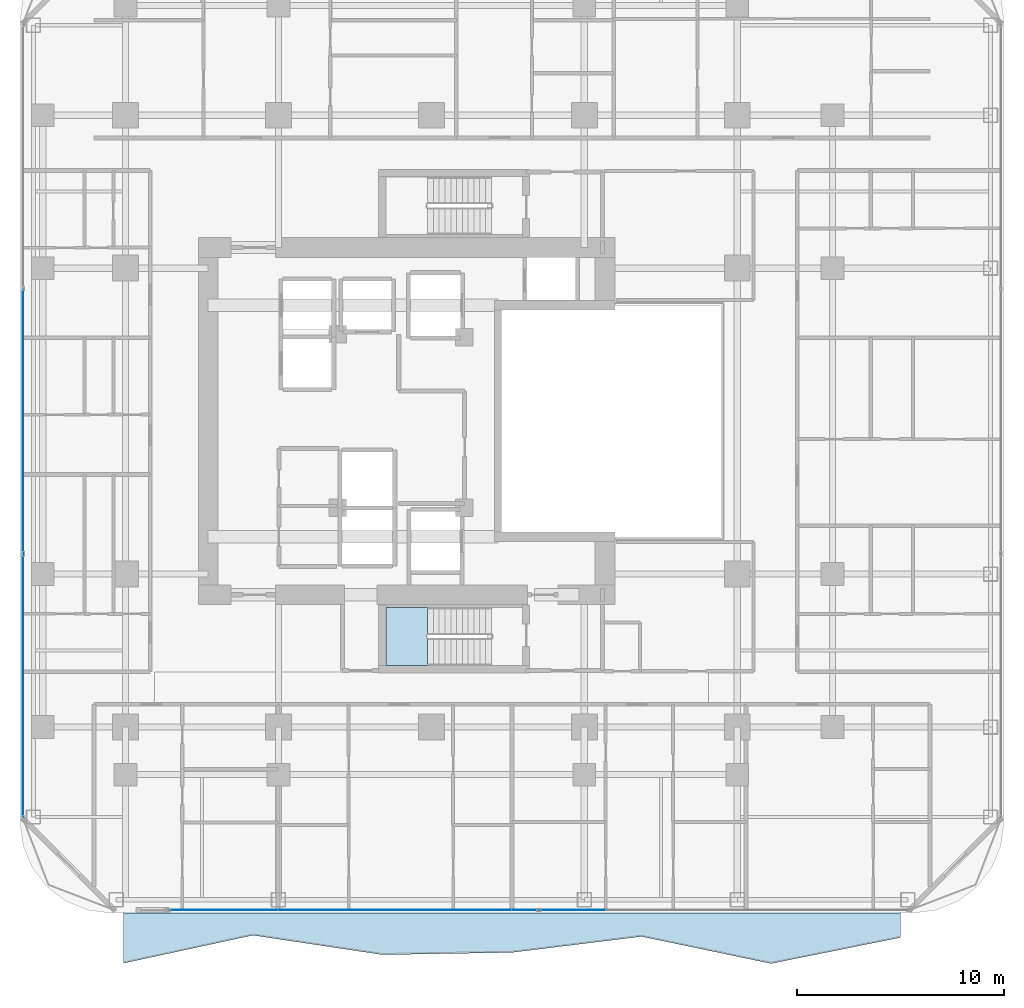
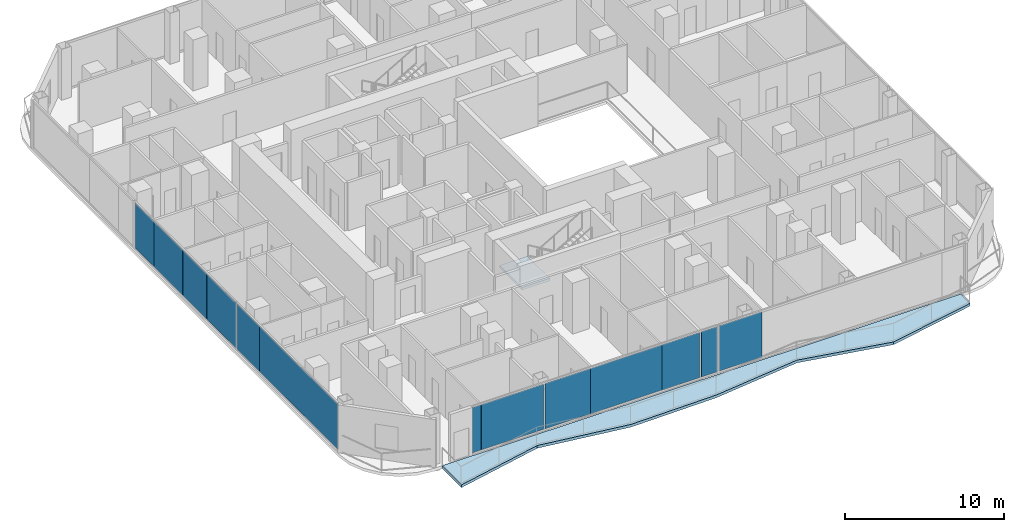
# One storey, part 19 of 29: 13 plates, 2 slabs, 3 elements without a shape of their own.
"""IFC4 building model written with IfcOpenShell, lengths in metres."""

from ifc_helpers import new_model, si_unit, direction, frame, origin, origin_2d, place, context, subcontext, project, spatial, polyline, rectangle, outline, extrude, material, layer, layer_set, type_object, element, aggregate, save


model = new_model("IFC4")

# Units and contexts
model_context = context("Model", 3, precision=1e-05, world=origin(), true_north=direction((0.0, 1.0)))
body_context = subcontext(model_context, "Body", "Model", "MODEL_VIEW")
ifc_project = project(units=[si_unit("LENGTHUNIT", "METRE"), si_unit("AREAUNIT", "SQUARE_METRE"), si_unit("VOLUMEUNIT", "CUBIC_METRE"), si_unit("PLANEANGLEUNIT", "RADIAN"), si_unit("MASSUNIT", "GRAM", prefix="KILO")], contexts=[model_context])

# Site, building, storey
site_placement = place(None, origin())
site = spatial("IfcSite", under=ifc_project, at=site_placement, CompositionType="ELEMENT")
building_placement = place(site_placement, origin())
building = spatial("IfcBuilding", under=site, at=building_placement, Name="Khorvyn Point Tower", CompositionType="ELEMENT")
storey_placement = place(building_placement, frame((0.0, 0.0, 140.699951171875)))
storey = spatial("IfcBuildingStorey", under=building, at=storey_placement, Name="L35", CompositionType="ELEMENT", Elevation=140.699951171875)

# Slab
ifc_material_1 = material(Name="Concrete C40/50", Category="concrete")
ifc_layer_1 = layer(ifc_material_1, 0.2099609375)
ifc_layer_set_1 = layer_set([ifc_layer_1], Name="Concrete C40/50 Rippling Balcony Slab 210")
slab_type_1 = type_object("IfcSlabType", Name="Concrete C40/50 Rippling Balcony Slab 210", PredefinedType="USERDEFINED", material=ifc_layer_set_1)
slab_1_placement = place(storey_placement, frame((0.0, 0.0, -0.2099609375)))
element("IfcSlab", 1, at=slab_1_placement, inside=storey, type_object=slab_type_1, Name="L35 South Sinusoidal Rippling Balcony", ObjectType="BALCONY", PredefinedType="USERDEFINED", context=body_context, shape_type="SweptSolid", body=[
    extrude(outline(polyline([(-14.89990234375, -23.800048828125), (-14.89990234375, -26.226806640625), (-8.63330078125, -24.87158203125), (-2.36669921875, -25.8125), (3.89990234375, -25.705078125), (10.166748046875, -24.930908203125), (16.433349609375, -26.241455078125), (22.699951171875, -24.978759765625), (22.699951171875, -23.800048828125), (-14.89990234375, -23.800048828125)])), origin(), (0.0, 0.0, 1.0), 0.2099609375),
])

# Stair, slab
stair_type = type_object("IfcStairType", Name="Tower Concrete C40/50 Dogleg Exit Stair", PredefinedType="HALF_TURN_STAIR", material=ifc_material_1)
stair_placement = place(storey_placement, origin())
stair = element("IfcStair", 2, at=stair_placement, inside=storey, type_object=stair_type, Name="L35 Tower Smokeproof Exit Stair South", PredefinedType="HALF_TURN_STAIR")
ifc_layer_2 = layer(ifc_material_1, 0.199951171875)
ifc_layer_set_2 = layer_set([ifc_layer_2], Name="Concrete C40/50 Stair Landing Slab 200")
slab_type_2 = type_object("IfcSlabType", Name="Concrete C40/50 Stair Landing Slab 200", PredefinedType="LANDING", material=ifc_layer_set_2)
slab_2_placement = place(storey_placement, frame((0.0, 0.0, 1.75)))
slab_2 = element("IfcSlab", 3, at=slab_2_placement, type_object=slab_type_2, Name="ST-01 landing 1", PredefinedType="LANDING", context=body_context, shape_type="SweptSolid", body=[
    extrude(outline(polyline([(-0.179931640625, -9.02001953125), (-2.199951171875, -9.02001953125), (-2.199951171875, -11.820068359375), (-0.179931640625, -11.820068359375), (-0.179931640625, -9.02001953125)])), origin(), (0.0, 0.0, 1.0), 0.199951171875),
])
aggregate(stair, [slab_2])

# Curtain wall, plates
ifc_material_2 = material(Name="Anodised aluminium 6063-T6 and laminated Low-E glass", Category="aluminium")
ifc_layer_3 = layer(ifc_material_2, 0.18994140625)
ifc_layer_set_3 = layer_set([ifc_layer_3], Name="Stick-Built Acoustic Curtain Wall CW-SYS-03")
curtain_wall_type = type_object("IfcCurtainWallType", Name="Stick-Built Acoustic Curtain Wall CW-SYS-03", PredefinedType="NOTDEFINED", material=ifc_layer_set_3)
curtain_wall_1_placement = place(storey_placement, origin())
curtain_wall_1 = element("IfcCurtainWall", 4, at=curtain_wall_1_placement, inside=storey, type_object=curtain_wall_type, Name="Curtain Wall", PredefinedType="NOTDEFINED")
ifc_material_3 = material(Name="Laminated Low-E insulated glass", Category="glass")
ifc_layer_4 = layer(ifc_material_3, 0.028076171875)
ifc_layer_set_4 = layer_set([ifc_layer_4], Name="Tempered Low-E Vision Glazing Panel CW-GL28")
plate_type = type_object("IfcPlateType", Name="Tempered Low-E Vision Glazing Panel CW-GL28", PredefinedType="CURTAIN_PANEL", material=ifc_layer_set_4)
plate_1_placement = place(storey_placement, frame((6.8046875, -23.64990234375, 0.10009765625), z_axis=(0.0, 0.0, 1.0), x_axis=(-1.0, 0.0, 0.0)))
plate_1 = element("IfcPlate", 5, at=plate_1_placement, type_object=plate_type, Name="Panel", PredefinedType="CURTAIN_PANEL", context=body_context, shape_type="SweptSolid", body=[
    extrude(rectangle(XDim=3.12060546875, YDim=0.028076171875, at=origin_2d()), origin(), (0.0, 0.0, 1.0), 3.47998046875),
])
plate_2_placement = place(storey_placement, frame((-12.3291015625, -23.64990234375, 0.10009765625), z_axis=(0.0, 0.0, 1.0), x_axis=(-1.0, 0.0, 0.0)))
plate_2 = element("IfcPlate", 6, at=plate_2_placement, type_object=plate_type, Name="Panel", PredefinedType="CURTAIN_PANEL", context=body_context, shape_type="SweptSolid", body=[
    extrude(rectangle(XDim=0.672119140625, YDim=0.028076171875, at=origin_2d()), origin(), (0.0, 0.0, 1.0), 3.47998046875),
])
plate_3_placement = place(storey_placement, frame((-9.736083984375, -23.64990234375, 0.10009765625), z_axis=(0.0, 0.0, 1.0), x_axis=(-1.0, 0.0, 0.0)))
plate_3 = element("IfcPlate", 7, at=plate_3_placement, type_object=plate_type, Name="Panel", PredefinedType="CURTAIN_PANEL", context=body_context, shape_type="SweptSolid", body=[
    extrude(rectangle(XDim=4.498046875, YDim=0.028076171875, at=origin_2d()), origin(), (0.0, 0.0, 1.0), 3.47998046875),
])
plate_4_placement = place(storey_placement, frame((-5.7119140625, -23.64990234375, 0.10009765625), z_axis=(0.0, 0.0, 1.0), x_axis=(-1.0, 0.0, 0.0)))
plate_4 = element("IfcPlate", 8, at=plate_4_placement, type_object=plate_type, Name="Panel", PredefinedType="CURTAIN_PANEL", context=body_context, shape_type="SweptSolid", body=[
    extrude(rectangle(XDim=3.2939453125, YDim=0.028076171875, at=origin_2d()), origin(), (0.0, 0.0, 1.0), 3.47998046875),
])
plate_5_placement = place(storey_placement, frame((-1.4755859375, -23.64990234375, 0.10009765625), z_axis=(0.0, 0.0, 1.0), x_axis=(-1.0, 0.0, 0.0)))
plate_5 = element("IfcPlate", 9, at=plate_5_placement, type_object=plate_type, Name="Panel", PredefinedType="CURTAIN_PANEL", context=body_context, shape_type="SweptSolid", body=[
    extrude(rectangle(XDim=5.1630859375, YDim=0.028076171875, at=origin_2d()), origin(), (0.0, 0.0, 1.0), 3.47998046875),
])
plate_6_placement = place(storey_placement, frame((2.47509765625, -23.64990234375, 0.10009765625), z_axis=(0.0, 0.0, 1.0), x_axis=(-1.0, 0.0, 0.0)))
plate_6 = element("IfcPlate", 10, at=plate_6_placement, type_object=plate_type, Name="Panel", PredefinedType="CURTAIN_PANEL", context=body_context, shape_type="SweptSolid", body=[
    extrude(rectangle(XDim=2.721923828125, YDim=0.028076171875, at=origin_2d()), origin(), (0.0, 0.0, 1.0), 3.47998046875),
])
plate_7_placement = place(storey_placement, frame((4.55029296875, -23.64990234375, 0.10009765625), z_axis=(0.0, 0.0, 1.0), x_axis=(-1.0, 0.0, 0.0)))
plate_7 = element("IfcPlate", 11, at=plate_7_placement, type_object=plate_type, Name="Panel", PredefinedType="CURTAIN_PANEL", context=body_context, shape_type="SweptSolid", body=[
    extrude(rectangle(XDim=1.172607421875, YDim=0.028076171875, at=origin_2d()), origin(), (0.0, 0.0, 1.0), 3.47998046875),
])
aggregate(curtain_wall_1, [plate_1, plate_2, plate_3, plate_4, plate_5, plate_6, plate_7])

curtain_wall_2_placement = place(storey_placement, origin())
curtain_wall_2 = element("IfcCurtainWall", 12, at=curtain_wall_2_placement, inside=storey, type_object=curtain_wall_type, Name="Curtain Wall", PredefinedType="NOTDEFINED")
plate_8_placement = place(storey_placement, frame((-19.75, -14.205078125, 0.10009765625), z_axis=(0.0, 0.0, 1.0), x_axis=(0.0, 1.0, 0.0)))
plate_8 = element("IfcPlate", 13, at=plate_8_placement, type_object=plate_type, Name="Panel", PredefinedType="CURTAIN_PANEL", context=body_context, shape_type="SweptSolid", body=[
    extrude(rectangle(XDim=9.882080078125, YDim=0.028076171875, at=origin_2d()), origin(), (0.0, 0.0, 1.0), 3.47998046875),
])
plate_9_placement = place(storey_placement, frame((-19.75, -7.86328125, 0.10009765625), z_axis=(0.0, 0.0, 1.0), x_axis=(0.0, 1.0, 0.0)))
plate_9 = element("IfcPlate", 14, at=plate_9_placement, type_object=plate_type, Name="Panel", PredefinedType="CURTAIN_PANEL", context=body_context, shape_type="SweptSolid", body=[
    extrude(rectangle(XDim=2.785400390625, YDim=0.028076171875, at=origin_2d()), origin(), (0.0, 0.0, 1.0), 3.47998046875),
])
plate_10_placement = place(storey_placement, frame((-19.75, -4.50634765625, 0.10009765625), z_axis=(0.0, 0.0, 1.0), x_axis=(0.0, 1.0, 0.0)))
plate_10 = element("IfcPlate", 15, at=plate_10_placement, type_object=plate_type, Name="Panel", PredefinedType="CURTAIN_PANEL", context=body_context, shape_type="SweptSolid", body=[
    extrude(rectangle(XDim=3.712646484375, YDim=0.028076171875, at=origin_2d()), origin(), (0.0, 0.0, 1.0), 3.47998046875),
])
plate_11_placement = place(storey_placement, frame((-19.75, -1.135986328125, 0.10009765625), z_axis=(0.0, 0.0, 1.0), x_axis=(0.0, 1.0, 0.0)))
plate_11 = element("IfcPlate", 16, at=plate_11_placement, type_object=plate_type, Name="Panel", PredefinedType="CURTAIN_PANEL", context=body_context, shape_type="SweptSolid", body=[
    extrude(rectangle(XDim=3.011962890625, YDim=0.028076171875, at=origin_2d()), origin(), (0.0, 0.0, 1.0), 3.47998046875),
])
plate_12_placement = place(storey_placement, frame((-19.75, 2.177001953125, 0.10009765625), z_axis=(0.0, 0.0, 1.0), x_axis=(0.0, 1.0, 0.0)))
plate_12 = element("IfcPlate", 17, at=plate_12_placement, type_object=plate_type, Name="Panel", PredefinedType="CURTAIN_PANEL", context=body_context, shape_type="SweptSolid", body=[
    extrude(rectangle(XDim=3.597900390625, YDim=0.028076171875, at=origin_2d()), origin(), (0.0, 0.0, 1.0), 3.47998046875),
])
plate_13_placement = place(storey_placement, frame((-19.75, 5.17333984375, 0.10009765625), z_axis=(0.0, 0.0, 1.0), x_axis=(0.0, 1.0, 0.0)))
plate_13 = element("IfcPlate", 18, at=plate_13_placement, type_object=plate_type, Name="Panel", PredefinedType="CURTAIN_PANEL", context=body_context, shape_type="SweptSolid", body=[
    extrude(rectangle(XDim=2.378662109375, YDim=0.028076171875, at=origin_2d()), origin(), (0.0, 0.0, 1.0), 3.47998046875),
])
aggregate(curtain_wall_2, [plate_8, plate_9, plate_10, plate_11, plate_12, plate_13])

save(model, "model.ifc")
